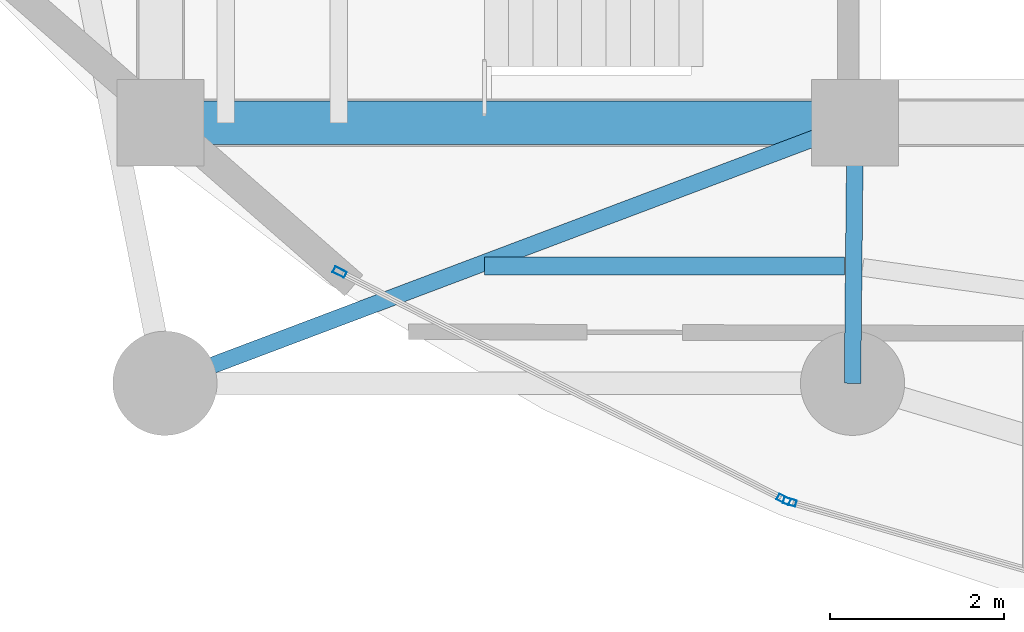
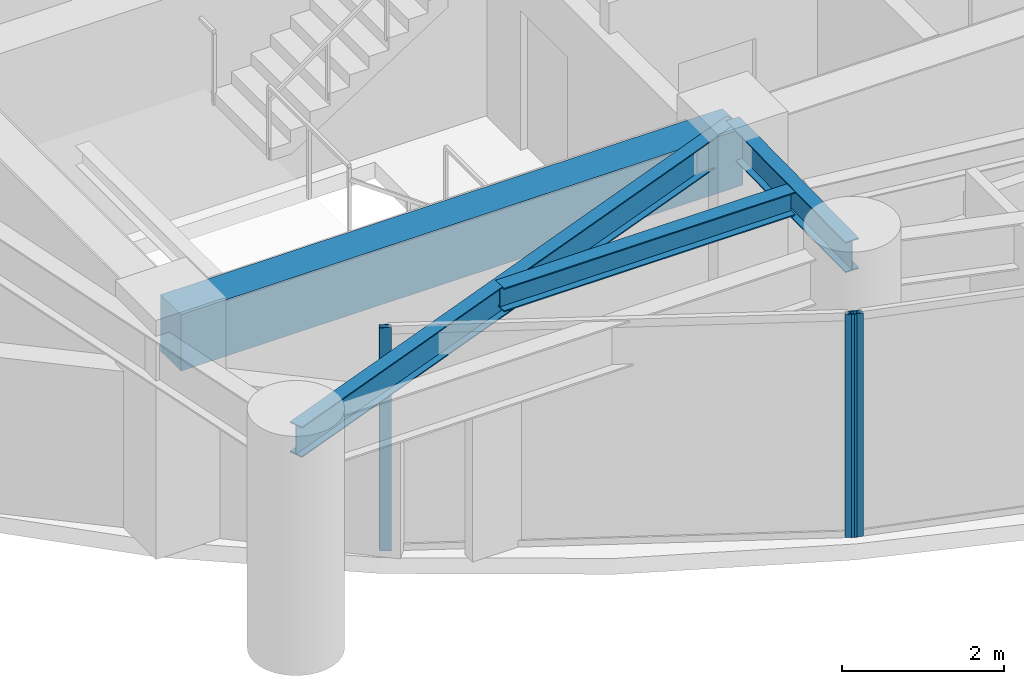
# One storey, part 2 of 30: 4 beams, 3 members, 2 elements without a shape of their own.
"""IFC4 building model written with IfcOpenShell, lengths in metres."""

from ifc_helpers import new_model, si_unit, direction, frame, origin, origin_2d, place, context, subcontext, project, spatial, rectangle, hollow_rectangle, i_section, extrude, material, layer, layer_set, material_profile, profile_set, type_object, element, aggregate, save


model = new_model("IFC4")

# Units and contexts
model_context = context("Model", 3, precision=1e-05, world=origin(), true_north=direction((0.0, 1.0)))
body_context = subcontext(model_context, "Body", "Model", "MODEL_VIEW")
ifc_project = project(units=[si_unit("LENGTHUNIT", "METRE"), si_unit("AREAUNIT", "SQUARE_METRE"), si_unit("VOLUMEUNIT", "CUBIC_METRE"), si_unit("PLANEANGLEUNIT", "RADIAN"), si_unit("MASSUNIT", "GRAM", prefix="KILO")], contexts=[model_context])

# Site, building, storey
site_placement = place(None, origin())
site = spatial("IfcSite", under=ifc_project, at=site_placement, CompositionType="ELEMENT")
building_placement = place(site_placement, origin())
building = spatial("IfcBuilding", under=site, at=building_placement, Name="Kazevale Care Tower and Concert Hall", CompositionType="ELEMENT")
storey_placement = place(building_placement, frame((0.0, 0.0, 113.39990234375)))
storey = spatial("IfcBuildingStorey", under=building, at=storey_placement, Name="L29", CompositionType="ELEMENT", Elevation=113.39990234375)

# Curtain wall, member
ifc_material_1 = material(Name="Aluminium 6063-T6 and Low-E Glass", Category="aluminium")
ifc_layer = layer(ifc_material_1, 0.179931640625)
ifc_layer_set = layer_set([ifc_layer], Name="Aluminium 6063-T6 and Low-E Glass")
curtain_wall_type = type_object("IfcCurtainWallType", Name="Sheltered Concave Balcony Curtain Wall CW-5", PredefinedType="NOTDEFINED", material=ifc_layer_set)
curtain_wall_1_placement = place(storey_placement, origin())
curtain_wall_1 = element("IfcCurtainWall", 1, at=curtain_wall_1_placement, inside=storey, type_object=curtain_wall_type, Name="cw:L29:f08", PredefinedType="NOTDEFINED")
ifc_material_2 = material(Name="Aluminium 6063-T6", Category="aluminium")
ifc_material_profile_1 = material_profile(ifc_material_2, hollow_rectangle(XDim=0.074951171875, YDim=0.14990234375, WallThickness=0.00390625, at=origin_2d()), Name="ALU75x150x4")
ifc_profile_set_1 = profile_set([ifc_material_profile_1], Name="Aluminium 6063-T6")
member_type = type_object("IfcMemberType", Name="CW-5 Mullion ALU75x150x4", PredefinedType="MULLION", material=ifc_profile_set_1)
member_1_placement = place(storey_placement, frame((29.2470703125, 19.234619140625, 0.0), z_axis=(0.0, 0.0, 1.0), x_axis=(-0.276290733172, -0.961074102639, 0.0)))
member_1 = element("IfcMember", 2, at=member_1_placement, type_object=member_type, Name="CW-5 mullion 2", PredefinedType="MULLION", context=body_context, shape_type="SweptSolid", body=[
    extrude(hollow_rectangle(XDim=0.074951171875, YDim=0.14990234375, WallThickness=0.00390625, at=origin_2d()), origin(), (0.0, 0.0, 1.0), 3.360107421875),
])
aggregate(curtain_wall_1, [member_1])

# Curtain wall, members
curtain_wall_2_placement = place(storey_placement, origin())
curtain_wall_2 = element("IfcCurtainWall", 3, at=curtain_wall_2_placement, inside=storey, type_object=curtain_wall_type, Name="cw:L29:f09", PredefinedType="NOTDEFINED")
member_2_placement = place(storey_placement, frame((29.177734375, 19.26220703125, 0.0), z_axis=(0.0, 0.0, 1.0), x_axis=(-0.455713236575, -0.890126646051, 0.0)))
member_2 = element("IfcMember", 4, at=member_2_placement, type_object=member_type, Name="CW-5 mullion 1", PredefinedType="MULLION", context=body_context, shape_type="SweptSolid", body=[
    extrude(hollow_rectangle(XDim=0.074951171875, YDim=0.14990234375, WallThickness=0.00390625, at=origin_2d()), origin(), (0.0, 0.0, 1.0), 3.360107421875),
])
member_3_placement = place(storey_placement, frame((24.0625, 21.880859375, 0.0), z_axis=(0.0, 0.0, 1.0), x_axis=(-0.455713236575, -0.890126646051, 0.0)))
member_3 = element("IfcMember", 5, at=member_3_placement, type_object=member_type, Name="CW-5 mullion 2", PredefinedType="MULLION", context=body_context, shape_type="SweptSolid", body=[
    extrude(hollow_rectangle(XDim=0.074951171875, YDim=0.14990234375, WallThickness=0.00390625, at=origin_2d()), origin(), (0.0, 0.0, 1.0), 3.360107421875),
])
aggregate(curtain_wall_2, [member_2, member_3])

# Beams
ifc_material_3 = material(Name="Concrete C60", Category="concrete")
ifc_material_profile_2 = material_profile(ifc_material_3, rectangle(XDim=0.5, YDim=0.85009765625, at=origin_2d()), Name="RC-B500x850")
ifc_profile_set_2 = profile_set([ifc_material_profile_2], Name="Concrete C60")
beam_type_1 = type_object("IfcBeamType", Name="Core Coupling Beam RC500x850", PredefinedType="LINTEL", material=ifc_profile_set_2)
beam_1_placement = place(storey_placement, frame((22.0, 23.60009765625, 2.93505859375), z_axis=(1.0, 0.0, 0.0), x_axis=(0.0, 1.0, 0.0)))
element("IfcBeam", 6, at=beam_1_placement, inside=storey, type_object=beam_type_1, Name="beam:L29:coretie:1", PredefinedType="LINTEL", context=body_context, shape_type="SweptSolid", body=[
    extrude(rectangle(XDim=0.5, YDim=0.85009765625, at=origin_2d()), origin(), (0.0, 0.0, 1.0), 8.0),
])
ifc_material_4 = material(Name="Steel ASTM A572 Gr 50", Category="steel")
ifc_material_profile_3 = material_profile(ifc_material_4, i_section(OverallWidth=0.19091796875, OverallDepth=0.4599609375, WebThickness=0.010009765625, FlangeThickness=0.01611328125, at=origin_2d()), Name="W460x82")
ifc_profile_set_3 = profile_set([ifc_material_profile_3], Name="Steel ASTM A572 Gr 50")
beam_type_2 = type_object("IfcBeamType", Name="Radial Floor Beam W460x82", PredefinedType="BEAM", material=ifc_profile_set_3)
beam_2_placement = place(storey_placement, frame((30.0, 23.60009765625, 3.130126953125), z_axis=(-0.935601002663, -0.353059150592, 0.0), x_axis=(0.353059150592, -0.935601002663, 0.0)))
element("IfcBeam", 7, at=beam_2_placement, inside=storey, type_object=beam_type_2, Name="beam:L29:rad:10", PredefinedType="BEAM", context=body_context, shape_type="SweptSolid", body=[
    extrude(i_section(OverallWidth=0.19091796875, OverallDepth=0.4599609375, WebThickness=0.010009765625, FlangeThickness=0.01611328125, at=origin_2d()), origin(), (0.0, 0.0, 1.0), 8.4970703125),
])
beam_3_placement = place(storey_placement, frame((30.0, 23.60009765625, 3.130126953125), z_axis=(-0.010009264196, -0.99994990606, 0.0), x_axis=(0.99994990606, -0.010009264196, 0.0)))
element("IfcBeam", 8, at=beam_3_placement, inside=storey, type_object=beam_type_2, Name="beam:L29:rad:11", PredefinedType="BEAM", context=body_context, shape_type="SweptSolid", body=[
    extrude(i_section(OverallWidth=0.19091796875, OverallDepth=0.4599609375, WebThickness=0.010009765625, FlangeThickness=0.01611328125, at=origin_2d()), origin(), (0.0, 0.0, 1.0), 3.000244140625),
])
ifc_material_profile_4 = material_profile(ifc_material_4, i_section(OverallWidth=0.205078125, OverallDepth=0.35400390625, WebThickness=0.009521484375, FlangeThickness=0.016845703125, at=origin_2d()), Name="W360x79")
ifc_profile_set_4 = profile_set([ifc_material_profile_4], Name="Steel ASTM A572 Gr 50")
beam_type_3 = type_object("IfcBeamType", Name="Secondary Floor Joist W360x79", PredefinedType="JOIST", material=ifc_profile_set_4)
beam_4_placement = place(storey_placement, frame((25.73291015625, 21.949951171875, 3.18310546875), z_axis=(1.0, 0.0, 0.0), x_axis=(0.0, 1.0, 0.0)))
element("IfcBeam", 9, at=beam_4_placement, inside=storey, type_object=beam_type_3, Name="beam:L29:joist:10", PredefinedType="JOIST", context=body_context, shape_type="SweptSolid", body=[
    extrude(i_section(OverallWidth=0.205078125, OverallDepth=0.35400390625, WebThickness=0.009521484375, FlangeThickness=0.016845703125, at=origin_2d()), origin(), (0.0, 0.0, 1.0), 4.14501953125),
])

save(model, "model.ifc")
